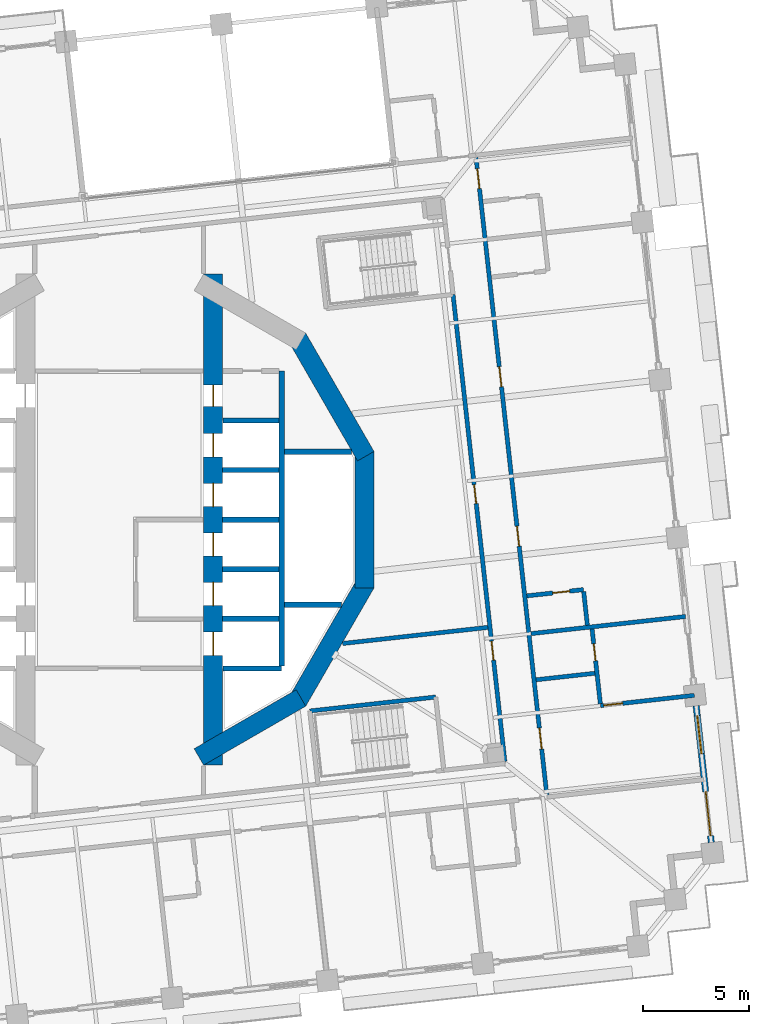
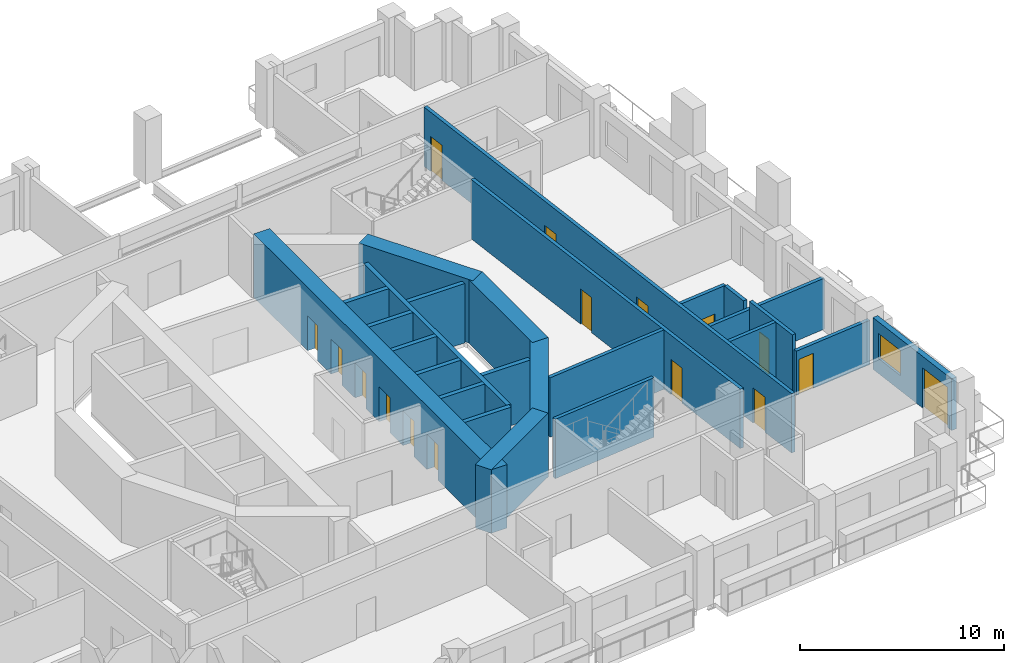
# One storey, part 10 of 20: 25 walls, 16 doors, 1 window, 17 openings.
"""IFC4 building model written with IfcOpenShell, lengths in metres."""

from ifc_helpers import new_model, si_unit, direction, frame, frame_2d, origin, place, context, subcontext, project, spatial, rectangle, extrude, material, layer, layer_set, type_object, element, fill, save


model = new_model("IFC4")

# Units and contexts
model_context = context("Model", 3, precision=1e-05, world=origin(), true_north=direction((0.0, 1.0)))
body_context = subcontext(model_context, "Body", "Model", "MODEL_VIEW")
ifc_project = project(units=[si_unit("LENGTHUNIT", "METRE"), si_unit("AREAUNIT", "SQUARE_METRE"), si_unit("VOLUMEUNIT", "CUBIC_METRE"), si_unit("PLANEANGLEUNIT", "RADIAN"), si_unit("MASSUNIT", "GRAM", prefix="KILO")], contexts=[model_context])

# Site, building, storey
site_placement = place(None, origin())
site = spatial("IfcSite", under=ifc_project, at=site_placement, CompositionType="ELEMENT")
building_placement = place(site_placement, origin())
building = spatial("IfcBuilding", under=site, at=building_placement, Name="Cantera Rosa Tower", CompositionType="ELEMENT")
storey_placement = place(building_placement, frame((0.0, 0.0, 46.300048828125)))
storey = spatial("IfcBuildingStorey", under=building, at=storey_placement, Name="L08", CompositionType="ELEMENT", Elevation=46.300048828125)

# Wall, openings, doors
ifc_material_1 = material(Name="Gypsum board partition")
ifc_layer_1 = layer(ifc_material_1, 0.199951171875)
ifc_layer_set_1 = layer_set([ifc_layer_1], Name="CORRIDOR WALL 200 H3550")
wall_type_1 = type_object("IfcWallType", Name="CORRIDOR WALL 200 H3550", PredefinedType="PARTITIONING", material=ifc_layer_set_1)
wall_1_placement = place(storey_placement, frame((18.27490234375, -11.453857421875, 0.0), z_axis=(0.0, 0.0, 1.0), x_axis=(-0.110303935969, 0.993897903061, 0.0)))
wall_1 = element("IfcWall", 1, at=wall_1_placement, inside=storey, type_object=wall_type_1, Name="CORRIDOR WALL L08-104", PredefinedType="PARTITIONING", context=body_context, shape_type="SweptSolid", body=[
    extrude(rectangle(XDim=22.26171875, YDim=0.199951171875, at=frame_2d((11.130859375, 0.0))), origin(), (0.0, 0.0, 1.0), 3.550048828125),
])
opening_1_placement = place(wall_1_placement, frame((12.294677734375, 0.0, 0.0)))
opening_1 = element("IfcOpeningElement", 2, at=opening_1_placement, cuts=wall_1, Name="Opening L08-005", PredefinedType="OPENING", context=body_context, shape_type="SweptSolid", body=[
    extrude(rectangle(XDim=0.89990234375, YDim=2.10009765625, at=frame_2d((0.449951171875, 1.050048828125))), frame((0.0, 0.10986328125, 0.0), z_axis=(0.0, -1.0, 0.0), x_axis=(1.0, 0.0, 0.0)), (0.0, 0.0, 1.0), 0.219970703125),
])
opening_2_placement = place(wall_1_placement, frame((4.830078125, 0.0, 0.0)))
opening_2 = element("IfcOpeningElement", 3, at=opening_2_placement, cuts=wall_1, Name="Opening L08-009", PredefinedType="OPENING", context=body_context, shape_type="SweptSolid", body=[
    extrude(rectangle(XDim=0.89990234375, YDim=2.10009765625, at=frame_2d((0.449951171875, 1.050048828125))), frame((0.0, 0.10986328125, 0.0), z_axis=(0.0, -1.0, 0.0), x_axis=(1.0, 0.0, 0.0)), (0.0, 0.0, 1.0), 0.219970703125),
])
ifc_material_2 = material(Name="Timber door leaf", Category="wood")
door_type_1 = type_object("IfcDoorType", Name="SERVICE DOOR 900x2100", OperationType="NOTDEFINED", PredefinedType="DOOR", material=ifc_material_2)
door_1_placement = place(opening_1_placement, origin())
door_1 = element("IfcDoor", 4, at=door_1_placement, inside=storey, type_object=door_type_1, Name="DOOR L08-005", OperationType="NOTDEFINED", OverallHeight=2.10009765625, OverallWidth=0.89990234375, PredefinedType="DOOR", context=body_context, shape_type="SweptSolid", body=[
    extrude(rectangle(XDim=0.89990234375, YDim=2.10009765625, at=frame_2d((0.449951171875, 1.050048828125))), frame((0.0, 0.02490234375, 0.0), z_axis=(0.0, -1.0, 0.0), x_axis=(1.0, 0.0, 0.0)), (0.0, 0.0, 1.0), 0.050048828125),
])
fill(opening_1, door_1)
door_2_placement = place(opening_2_placement, origin())
door_2 = element("IfcDoor", 5, at=door_2_placement, inside=storey, type_object=door_type_1, Name="DOOR L08-009", OperationType="NOTDEFINED", OverallHeight=2.10009765625, OverallWidth=0.89990234375, PredefinedType="DOOR", context=body_context, shape_type="SweptSolid", body=[
    extrude(rectangle(XDim=0.89990234375, YDim=2.10009765625, at=frame_2d((0.449951171875, 1.050048828125))), frame((0.0, 0.02490234375, 0.0), z_axis=(0.0, -1.0, 0.0), x_axis=(1.0, 0.0, 0.0)), (0.0, 0.0, 1.0), 0.050048828125),
])
fill(opening_2, door_2)

wall_2_placement = place(storey_placement, frame((20.2626953125, -13.04443359375, 0.0), z_axis=(0.0, 0.0, 1.0), x_axis=(-0.110312530755, 0.993896949164, 0.0)))
wall_2 = element("IfcWall", 6, at=wall_2_placement, inside=storey, type_object=wall_type_1, Name="CORRIDOR WALL L08-111", PredefinedType="PARTITIONING", context=body_context, shape_type="SweptSolid", body=[
    extrude(rectangle(XDim=30.400146484375, YDim=0.199951171875, at=frame_2d((15.2001953125, 0.0))), origin(), (0.0, 0.0, 1.0), 3.550048828125),
])
opening_3_placement = place(wall_2_placement, frame((2.18994140625, 0.0, 0.0)))
opening_3 = element("IfcOpeningElement", 7, at=opening_3_placement, cuts=wall_2, Name="Opening L08-016", PredefinedType="OPENING", context=body_context, shape_type="SweptSolid", body=[
    extrude(rectangle(XDim=1.0, YDim=2.10009765625, at=frame_2d((0.5, 1.050048828125))), frame((0.0, 0.10986328125, 0.0), z_axis=(0.0, -1.0, 0.0), x_axis=(1.0, 0.0, 0.0)), (0.0, 0.0, 1.0), 0.219970703125),
])
opening_4_placement = place(wall_2_placement, frame((11.864990234375, 0.0, 0.0)))
opening_4 = element("IfcOpeningElement", 8, at=opening_4_placement, cuts=wall_2, Name="Opening L08-019", PredefinedType="OPENING", context=body_context, shape_type="SweptSolid", body=[
    extrude(rectangle(XDim=0.949951171875, YDim=2.10009765625, at=frame_2d((0.47509765625, 1.050048828125))), frame((0.0, 0.10986328125, 0.0), z_axis=(0.0, -1.0, 0.0), x_axis=(1.0, 0.0, 0.0)), (0.0, 0.0, 1.0), 0.219970703125),
])
opening_5_placement = place(wall_2_placement, frame((19.465087890625, 0.0, 0.0)))
opening_5 = element("IfcOpeningElement", 9, at=opening_5_placement, cuts=wall_2, Name="Opening L08-021", PredefinedType="OPENING", context=body_context, shape_type="SweptSolid", body=[
    extrude(rectangle(XDim=0.949951171875, YDim=2.10009765625, at=frame_2d((0.47509765625, 1.050048828125))), frame((0.0, 0.10986328125, 0.0), z_axis=(0.0, -1.0, 0.0), x_axis=(1.0, 0.0, 0.0)), (0.0, 0.0, 1.0), 0.219970703125),
])
opening_6_placement = place(wall_2_placement, frame((28.9150390625, 0.0, 0.0)))
opening_6 = element("IfcOpeningElement", 10, at=opening_6_placement, cuts=wall_2, Name="Opening L08-023", PredefinedType="OPENING", context=body_context, shape_type="SweptSolid", body=[
    extrude(rectangle(XDim=0.949951171875, YDim=2.10009765625, at=frame_2d((0.47509765625, 1.050048828125))), frame((0.0, 0.10986328125, 0.0), z_axis=(0.0, -1.0, 0.0), x_axis=(1.0, 0.0, 0.0)), (0.0, 0.0, 1.0), 0.219970703125),
])
ifc_material_3 = material(Name="Timber door leaf", Category="wood")
door_type_2 = type_object("IfcDoorType", Name="ENTRANCE DOOR 1000x2100", OperationType="NOTDEFINED", PredefinedType="DOOR", material=ifc_material_3)
door_3_placement = place(opening_3_placement, origin())
door_3 = element("IfcDoor", 11, at=door_3_placement, inside=storey, type_object=door_type_2, Name="DOOR L08-016", OperationType="NOTDEFINED", OverallHeight=2.10009765625, OverallWidth=1.0, PredefinedType="DOOR", context=body_context, shape_type="SweptSolid", body=[
    extrude(rectangle(XDim=1.0, YDim=2.10009765625, at=frame_2d((0.5, 1.050048828125))), frame((0.0, 0.02490234375, 0.0), z_axis=(0.0, -1.0, 0.0), x_axis=(1.0, 0.0, 0.0)), (0.0, 0.0, 1.0), 0.050048828125),
])
fill(opening_3, door_3)
ifc_material_4 = material(Name="Timber door leaf", Category="wood")
door_type_3 = type_object("IfcDoorType", Name="ROOM DOOR 950x2100", OperationType="NOTDEFINED", PredefinedType="DOOR", material=ifc_material_4)
door_4_placement = place(opening_4_placement, origin())
door_4 = element("IfcDoor", 12, at=door_4_placement, inside=storey, type_object=door_type_3, Name="DOOR L08-019", OperationType="NOTDEFINED", OverallHeight=2.10009765625, OverallWidth=0.949951171875, PredefinedType="DOOR", context=body_context, shape_type="SweptSolid", body=[
    extrude(rectangle(XDim=0.949951171875, YDim=2.10009765625, at=frame_2d((0.47509765625, 1.050048828125))), frame((0.0, 0.02490234375, 0.0), z_axis=(0.0, -1.0, 0.0), x_axis=(1.0, 0.0, 0.0)), (0.0, 0.0, 1.0), 0.050048828125),
])
fill(opening_4, door_4)
door_5_placement = place(opening_5_placement, origin())
door_5 = element("IfcDoor", 13, at=door_5_placement, inside=storey, type_object=door_type_3, Name="DOOR L08-021", OperationType="NOTDEFINED", OverallHeight=2.10009765625, OverallWidth=0.949951171875, PredefinedType="DOOR", context=body_context, shape_type="SweptSolid", body=[
    extrude(rectangle(XDim=0.949951171875, YDim=2.10009765625, at=frame_2d((0.47509765625, 1.050048828125))), frame((0.0, 0.02490234375, 0.0), z_axis=(0.0, -1.0, 0.0), x_axis=(1.0, 0.0, 0.0)), (0.0, 0.0, 1.0), 0.050048828125),
])
fill(opening_5, door_5)
door_6_placement = place(opening_6_placement, origin())
door_6 = element("IfcDoor", 14, at=door_6_placement, inside=storey, type_object=door_type_3, Name="DOOR L08-023", OperationType="NOTDEFINED", OverallHeight=2.10009765625, OverallWidth=0.949951171875, PredefinedType="DOOR", context=body_context, shape_type="SweptSolid", body=[
    extrude(rectangle(XDim=0.949951171875, YDim=2.10009765625, at=frame_2d((0.47509765625, 1.050048828125))), frame((0.0, 0.02490234375, 0.0), z_axis=(0.0, -1.0, 0.0), x_axis=(1.0, 0.0, 0.0)), (0.0, 0.0, 1.0), 0.050048828125),
])
fill(opening_6, door_6)

# Wall, openings, window, door
ifc_material_5 = material(Name="Hollow clay masonry with cantera stone cladding", Category="masonry")
ifc_layer_2 = layer(ifc_material_5, 0.300048828125)
ifc_layer_set_2 = layer_set([ifc_layer_2], Name="EW-LOGGIA 300 H3090")
wall_type_2 = type_object("IfcWallType", Name="EW-LOGGIA 300 H3090", PredefinedType="SOLIDWALL", material=ifc_layer_set_2)
wall_3_placement = place(storey_placement, frame((28.058837890625, -15.298095703125, 0.0), z_axis=(0.0, 0.0, 1.0), x_axis=(-0.110312341265, 0.993896970196, 0.0)))
wall_3 = element("IfcWall", 15, at=wall_3_placement, inside=storey, type_object=wall_type_2, Name="EN-L08-W01", PredefinedType="SOLIDWALL", context=body_context, shape_type="SweptSolid", body=[
    extrude(rectangle(XDim=6.52001953125, YDim=0.300048828125, at=frame_2d((3.260009765625, 0.0))), origin(), (0.0, 0.0, 1.0), 3.08984375),
])
opening_7_placement = place(wall_3_placement, frame((0.330078125, 0.0, 0.0)))
opening_7 = element("IfcOpeningElement", 16, at=opening_7_placement, cuts=wall_3, Name="Opening L08-TD01", PredefinedType="OPENING", context=body_context, shape_type="SweptSolid", body=[
    extrude(rectangle(XDim=2.10009765625, YDim=2.39990234375, at=frame_2d((1.050048828125, 1.199951171875))), frame((0.0, 0.159912109375, 0.0), z_axis=(0.0, -1.0, 0.0), x_axis=(1.0, 0.0, 0.0)), (0.0, 0.0, 1.0), 0.320068359375),
])
opening_8_placement = place(wall_3_placement, frame((4.239990234375, 0.0, 0.89990234375)))
opening_8 = element("IfcOpeningElement", 17, at=opening_8_placement, cuts=wall_3, Name="Opening L08-W02", PredefinedType="OPENING", context=body_context, shape_type="SweptSolid", body=[
    extrude(rectangle(XDim=1.800048828125, YDim=1.5, at=frame_2d((0.89990234375, 0.75))), frame((0.0, 0.159912109375, 0.0), z_axis=(0.0, -1.0, 0.0), x_axis=(1.0, 0.0, 0.0)), (0.0, 0.0, 1.0), 0.320068359375),
])
ifc_material_6 = material(Name="Aluminium frame with clear glass", Category="aluminium")
window_type = type_object("IfcWindowType", Name="Hotel room window 1800x1500", PartitioningType="DOUBLE_PANEL_VERTICAL", PredefinedType="WINDOW", material=ifc_material_6)
window_placement = place(opening_8_placement, origin())
window = element("IfcWindow", 18, at=window_placement, inside=storey, type_object=window_type, Name="WINDOW L08-W02", OverallHeight=1.5, OverallWidth=1.800048828125, PartitioningType="SINGLE_PANEL", PredefinedType="WINDOW", context=body_context, shape_type="SweptSolid", body=[
    extrude(rectangle(XDim=1.800048828125, YDim=1.5, at=frame_2d((0.89990234375, 0.75))), frame((0.0, 0.030029296875, 0.0), z_axis=(0.0, -1.0, 0.0), x_axis=(1.0, 0.0, 0.0)), (0.0, 0.0, 1.0), 0.06005859375),
])
fill(opening_8, window)
ifc_material_7 = material(Name="Aluminium frame with clear glass", Category="aluminium")
door_type_4 = type_object("IfcDoorType", Name="TD-H 2100x2400", OperationType="NOTDEFINED", PredefinedType="DOOR", material=ifc_material_7)
door_7_placement = place(opening_7_placement, origin())
door_7 = element("IfcDoor", 19, at=door_7_placement, inside=storey, type_object=door_type_4, Name="LOGGIA DOOR L08-TD01", OperationType="SLIDING_TO_LEFT", OverallHeight=2.39990234375, OverallWidth=2.10009765625, PredefinedType="DOOR", context=body_context, shape_type="SweptSolid", body=[
    extrude(rectangle(XDim=2.10009765625, YDim=2.39990234375, at=frame_2d((1.050048828125, 1.199951171875))), frame((0.0, 0.02490234375, 0.0), z_axis=(0.0, -1.0, 0.0), x_axis=(1.0, 0.0, 0.0)), (0.0, 0.0, 1.0), 0.050048828125),
])
fill(opening_7, door_7)

# Wall, opening, door
ifc_material_8 = material(Name="Gypsum board partition")
ifc_layer_3 = layer(ifc_material_8, 0.199951171875)
ifc_layer_set_3 = layer_set([ifc_layer_3], Name="PARTITION 200 H2650")
wall_type_3 = type_object("IfcWallType", Name="PARTITION 200 H2650", PredefinedType="PARTITIONING", material=ifc_layer_set_3)
wall_4_placement = place(storey_placement, frame((27.254638671875, -8.32421875, 0.0), z_axis=(0.0, 0.0, 1.0), x_axis=(-0.993895052822, -0.11032961514, 0.0)))
wall_4 = element("IfcWall", 20, at=wall_4_placement, inside=storey, type_object=wall_type_3, Name="PARTITION L08-116", PredefinedType="PARTITIONING", context=body_context, shape_type="SweptSolid", body=[
    extrude(rectangle(XDim=4.469970703125, YDim=0.199951171875, at=frame_2d((2.23486328125, 0.0))), origin(), (0.0, 0.0, 1.0), 2.64990234375),
])
opening_9_placement = place(wall_4_placement, frame((3.419921875, 0.0, 0.0)))
opening_9 = element("IfcOpeningElement", 21, at=opening_9_placement, cuts=wall_4, Name="Opening L08-017", PredefinedType="OPENING", context=body_context, shape_type="SweptSolid", body=[
    extrude(rectangle(XDim=0.89990234375, YDim=2.10009765625, at=frame_2d((0.449951171875, 1.050048828125))), frame((0.0, 0.10986328125, 0.0), z_axis=(0.0, -1.0, 0.0), x_axis=(1.0, 0.0, 0.0)), (0.0, 0.0, 1.0), 0.219970703125),
])
ifc_material_9 = material(Name="Timber door leaf", Category="wood")
door_type_5 = type_object("IfcDoorType", Name="ROOM DOOR 900x2100", OperationType="NOTDEFINED", PredefinedType="DOOR", material=ifc_material_9)
door_8_placement = place(opening_9_placement, origin())
door_8 = element("IfcDoor", 22, at=door_8_placement, inside=storey, type_object=door_type_5, Name="DOOR L08-017", OperationType="NOTDEFINED", OverallHeight=2.10009765625, OverallWidth=0.89990234375, PredefinedType="DOOR", context=body_context, shape_type="SweptSolid", body=[
    extrude(rectangle(XDim=0.89990234375, YDim=2.10009765625, at=frame_2d((0.449951171875, 1.050048828125))), frame((0.0, 0.02490234375, 0.0), z_axis=(0.0, -1.0, 0.0), x_axis=(1.0, 0.0, 0.0)), (0.0, 0.0, 1.0), 0.050048828125),
])
fill(opening_9, door_8)

# Wall
ifc_material_10 = material(Name="Gypsum board partition")
ifc_layer_4 = layer(ifc_material_10, 0.199951171875)
ifc_layer_set_4 = layer_set([ifc_layer_4], Name="PARTITION 200 H3550")
wall_type_4 = type_object("IfcWallType", Name="PARTITION 200 H3550", PredefinedType="PARTITIONING", material=ifc_layer_set_4)
wall_5_placement = place(storey_placement, frame((17.4697265625, -5.10400390625, 0.0), z_axis=(0.0, 0.0, 1.0), x_axis=(-0.993897488751, -0.110307669061, 0.0)))
element("IfcWall", 23, at=wall_5_placement, inside=storey, type_object=wall_type_4, Name="PARTITION L08-102", PredefinedType="PARTITIONING", context=body_context, shape_type="SweptSolid", body=[
    extrude(rectangle(XDim=6.923095703125, YDim=0.199951171875, at=frame_2d((3.46142578125, 0.0))), origin(), (0.0, 0.0, 1.0), 3.550048828125),
])

# Wall, opening, door
wall_6_placement = place(storey_placement, frame((19.31640625, -3.611083984375, 0.0), z_axis=(0.0, 0.0, 1.0), x_axis=(0.993905770718, 0.110233021063, 0.0)))
wall_6 = element("IfcWall", 24, at=wall_6_placement, inside=storey, type_object=wall_type_4, Name="PARTITION L08-108", PredefinedType="PARTITIONING", context=body_context, shape_type="SweptSolid", body=[
    extrude(rectangle(XDim=2.69970703125, YDim=0.199951171875, at=frame_2d((1.349853515625, 0.0))), origin(), (0.0, 0.0, 1.0), 3.550048828125),
])
opening_10_placement = place(wall_6_placement, frame((1.236083984375, 0.0, 0.0)))
opening_10 = element("IfcOpeningElement", 25, at=opening_10_placement, cuts=wall_6, Name="Opening L08-020", PredefinedType="OPENING", context=body_context, shape_type="SweptSolid", body=[
    extrude(rectangle(XDim=0.800048828125, YDim=2.10009765625, at=frame_2d((0.39990234375, 1.050048828125))), frame((0.0, 0.10986328125, 0.0), z_axis=(0.0, -1.0, 0.0), x_axis=(1.0, 0.0, 0.0)), (0.0, 0.0, 1.0), 0.219970703125),
])
ifc_material_11 = material(Name="Timber door leaf", Category="wood")
door_type_6 = type_object("IfcDoorType", Name="BATHROOM DOOR 800x2100", OperationType="NOTDEFINED", PredefinedType="DOOR", material=ifc_material_11)
door_9_placement = place(opening_10_placement, origin())
door_9 = element("IfcDoor", 26, at=door_9_placement, inside=storey, type_object=door_type_6, Name="DOOR L08-020", OperationType="NOTDEFINED", OverallHeight=2.10009765625, OverallWidth=0.800048828125, PredefinedType="DOOR", context=body_context, shape_type="SweptSolid", body=[
    extrude(rectangle(XDim=0.800048828125, YDim=2.10009765625, at=frame_2d((0.39990234375, 1.050048828125))), frame((0.0, 0.02490234375, 0.0), z_axis=(0.0, -1.0, 0.0), x_axis=(1.0, 0.0, 0.0)), (0.0, 0.0, 1.0), 0.050048828125),
])
fill(opening_10, door_9)

# Walls
wall_7_placement = place(storey_placement, frame((22.0107421875, -3.412841796875, 0.0), z_axis=(0.0, 0.0, 1.0), x_axis=(0.110331031706, -0.993894895571, 0.0)))
element("IfcWall", 27, at=wall_7_placement, inside=storey, type_object=wall_type_4, Name="PARTITION L08-113", PredefinedType="PARTITIONING", context=body_context, shape_type="SweptSolid", body=[
    extrude(rectangle(XDim=1.599853515625, YDim=0.199951171875, at=frame_2d((0.7998046875, 0.0))), origin(), (0.0, 0.0, 1.0), 3.550048828125),
])
wall_8_placement = place(storey_placement, frame((22.540283203125, -7.27783203125, 0.0), z_axis=(0.0, 0.0, 1.0), x_axis=(-0.99388798752, -0.110393243744, 0.0)))
element("IfcWall", 28, at=wall_8_placement, inside=storey, type_object=wall_type_4, Name="PARTITION L08-114", PredefinedType="PARTITIONING", context=body_context, shape_type="SweptSolid", body=[
    extrude(rectangle(XDim=2.7998046875, YDim=0.199951171875, at=frame_2d((1.39990234375, 0.0))), origin(), (0.0, 0.0, 1.0), 3.550048828125),
])

# Wall, opening, door
wall_9_placement = place(storey_placement, frame((22.80078125, -8.718017578125, 0.0), z_axis=(0.0, 0.0, 1.0), x_axis=(-0.110273460699, 0.993901284769, 0.0)))
wall_9 = element("IfcWall", 29, at=wall_9_placement, inside=storey, type_object=wall_type_4, Name="PARTITION L08-115", PredefinedType="PARTITIONING", context=body_context, shape_type="SweptSolid", body=[
    extrude(rectangle(XDim=3.56005859375, YDim=0.199951171875, at=frame_2d((1.780029296875, 0.0))), origin(), (0.0, 0.0, 1.0), 3.550048828125),
])
opening_11_placement = place(wall_9_placement, frame((2.050048828125, 0.0, 0.0)))
opening_11 = element("IfcOpeningElement", 30, at=opening_11_placement, cuts=wall_9, Name="Opening L08-018", PredefinedType="OPENING", context=body_context, shape_type="SweptSolid", body=[
    extrude(rectangle(XDim=0.800048828125, YDim=2.10009765625, at=frame_2d((0.39990234375, 1.050048828125))), frame((0.0, 0.10986328125, 0.0), z_axis=(0.0, -1.0, 0.0), x_axis=(1.0, 0.0, 0.0)), (0.0, 0.0, 1.0), 0.219970703125),
])
door_10_placement = place(opening_11_placement, origin())
door_10 = element("IfcDoor", 31, at=door_10_placement, inside=storey, type_object=door_type_6, Name="DOOR L08-018", OperationType="NOTDEFINED", OverallHeight=2.10009765625, OverallWidth=0.800048828125, PredefinedType="DOOR", context=body_context, shape_type="SweptSolid", body=[
    extrude(rectangle(XDim=0.800048828125, YDim=2.10009765625, at=frame_2d((0.39990234375, 1.050048828125))), frame((0.0, 0.02490234375, 0.0), z_axis=(0.0, -1.0, 0.0), x_axis=(1.0, 0.0, 0.0)), (0.0, 0.0, 1.0), 0.050048828125),
])
fill(opening_11, door_10)

# Walls
ifc_material_12 = material(Name="Gypsum board partition")
ifc_layer_5 = layer(ifc_material_12, 0.199951171875)
ifc_layer_set_5 = layer_set([ifc_layer_5], Name="PARTY WALL 200 H3050")
wall_type_5 = type_object("IfcWallType", Name="PARTY WALL 200 H3050", PredefinedType="PARTITIONING", material=ifc_layer_set_5)
wall_10_placement = place(storey_placement, frame((19.514892578125, -5.400146484375, 0.0), z_axis=(0.0, 0.0, 1.0), x_axis=(0.993897058864, 0.11031154238, 0.0)))
element("IfcWall", 32, at=wall_10_placement, inside=storey, type_object=wall_type_5, Name="PARTY WALL L08-109", PredefinedType="PARTITIONING", context=body_context, shape_type="SweptSolid", body=[
    extrude(rectangle(XDim=7.369873046875, YDim=0.199951171875, at=frame_2d((3.68505859375, 0.0))), origin(), (0.0, 0.0, 1.0), 3.050048828125),
])
ifc_material_13 = material(Name="Concrete C70/85", Category="concrete")
ifc_layer_6 = layer(ifc_material_13, 0.89990234375)
ifc_layer_set_6 = layer_set([ifc_layer_6], Name="RC CORE WALL 900 C70/85")
wall_type_6 = type_object("IfcWallType", Name="RC CORE WALL 900 C70/85", PredefinedType="SHEAR", material=ifc_layer_set_6)
wall_11_placement = place(storey_placement, frame((8.44921875, 8.61376953125, 0.0), z_axis=(0.0, 0.0, 1.0), x_axis=(0.499990282633, -0.866031014036, 0.0)))
element("IfcWall", 33, at=wall_11_placement, inside=storey, type_object=wall_type_6, Name="CW-E2 L08", PredefinedType="SHEAR", context=body_context, shape_type="SweptSolid", body=[
    extrude(rectangle(XDim=6.470458984375, YDim=0.89990234375, at=frame_2d((3.2353515625, 0.0))), origin(), (0.0, 0.0, 1.0), 3.800048828125),
])
wall_12_placement = place(storey_placement, frame((11.6240234375, 3.2353515625, 0.0), z_axis=(0.0, 0.0, 1.0), x_axis=(0.0, -1.0, 0.0)))
element("IfcWall", 34, at=wall_12_placement, inside=storey, type_object=wall_type_6, Name="CW-E3 L08", PredefinedType="SHEAR", context=body_context, shape_type="SweptSolid", body=[
    extrude(rectangle(XDim=6.470703125, YDim=0.89990234375, at=frame_2d((3.2353515625, 0.0))), origin(), (0.0, 0.0, 1.0), 3.800048828125),
])
wall_13_placement = place(storey_placement, frame((11.684326171875, -3.01025390625, 0.0), z_axis=(0.0, 0.0, 1.0), x_axis=(-0.499990282633, -0.866031014036, 0.0)))
element("IfcWall", 35, at=wall_13_placement, inside=storey, type_object=wall_type_6, Name="CW-E4 L08", PredefinedType="SHEAR", context=body_context, shape_type="SweptSolid", body=[
    extrude(rectangle(XDim=6.470458984375, YDim=0.89990234375, at=frame_2d((3.2353515625, 0.0))), origin(), (0.0, 0.0, 1.0), 3.800048828125),
])
wall_14_placement = place(storey_placement, frame((8.61376953125, -8.44921875, 0.0), z_axis=(0.0, 0.0, 1.0), x_axis=(-0.866026961591, -0.49999730179, 0.0)))
element("IfcWall", 36, at=wall_14_placement, inside=storey, type_object=wall_type_6, Name="CW-E5 L08", PredefinedType="SHEAR", context=body_context, shape_type="SweptSolid", body=[
    extrude(rectangle(XDim=5.58740234375, YDim=0.89990234375, at=frame_2d((2.793701171875, 0.0))), origin(), (0.0, 0.0, 1.0), 3.800048828125),
])

# Wall, openings, doors
wall_15_placement = place(storey_placement, frame((4.449951171875, -11.632568359375, 0.0), z_axis=(0.0, 0.0, 1.0), x_axis=(0.0, 1.0, 0.0)))
wall_15 = element("IfcWall", 37, at=wall_15_placement, inside=storey, type_object=wall_type_6, Name="CW-E6 L08", PredefinedType="SHEAR", context=body_context, shape_type="SweptSolid", body=[
    extrude(rectangle(XDim=23.26513671875, YDim=0.89990234375, at=frame_2d((11.632568359375, 0.0))), origin(), (0.0, 0.0, 1.0), 3.800048828125),
])
opening_12_placement = place(wall_15_placement, frame((7.5576171875, 0.0, 0.0)))
opening_12 = element("IfcOpeningElement", 38, at=opening_12_placement, cuts=wall_15, Name="Opening LD-FF1-L08", PredefinedType="OPENING", context=body_context, shape_type="SweptSolid", body=[
    extrude(rectangle(XDim=1.10009765625, YDim=2.10009765625, at=frame_2d((0.550048828125, 1.050048828125))), frame((0.0, 0.4599609375, 0.0), z_axis=(0.0, -1.0, 0.0), x_axis=(1.0, 0.0, 0.0)), (0.0, 0.0, 1.0), 0.919921875),
])
opening_13_placement = place(wall_15_placement, frame((9.907470703125, 0.0, 0.0)))
opening_13 = element("IfcOpeningElement", 39, at=opening_13_placement, cuts=wall_15, Name="Opening LD-FF2-L08", PredefinedType="OPENING", context=body_context, shape_type="SweptSolid", body=[
    extrude(rectangle(XDim=1.10009765625, YDim=2.10009765625, at=frame_2d((0.550048828125, 1.050048828125))), frame((0.0, 0.4599609375, 0.0), z_axis=(0.0, -1.0, 0.0), x_axis=(1.0, 0.0, 0.0)), (0.0, 0.0, 1.0), 0.919921875),
])
opening_14_placement = place(wall_15_placement, frame((12.257568359375, 0.0, 0.0)))
opening_14 = element("IfcOpeningElement", 40, at=opening_14_placement, cuts=wall_15, Name="Opening LD-P1-L08", PredefinedType="OPENING", context=body_context, shape_type="SweptSolid", body=[
    extrude(rectangle(XDim=1.10009765625, YDim=2.10009765625, at=frame_2d((0.550048828125, 1.050048828125))), frame((0.0, 0.4599609375, 0.0), z_axis=(0.0, -1.0, 0.0), x_axis=(1.0, 0.0, 0.0)), (0.0, 0.0, 1.0), 0.919921875),
])
opening_15_placement = place(wall_15_placement, frame((14.607421875, 0.0, 0.0)))
opening_15 = element("IfcOpeningElement", 41, at=opening_15_placement, cuts=wall_15, Name="Opening LD-P2-L08", PredefinedType="OPENING", context=body_context, shape_type="SweptSolid", body=[
    extrude(rectangle(XDim=1.10009765625, YDim=2.10009765625, at=frame_2d((0.550048828125, 1.050048828125))), frame((0.0, 0.4599609375, 0.0), z_axis=(0.0, -1.0, 0.0), x_axis=(1.0, 0.0, 0.0)), (0.0, 0.0, 1.0), 0.919921875),
])
opening_16_placement = place(wall_15_placement, frame((5.20751953125, 0.0, 0.0)))
opening_16 = element("IfcOpeningElement", 42, at=opening_16_placement, cuts=wall_15, Name="Opening LD-P6-L08", PredefinedType="OPENING", context=body_context, shape_type="SweptSolid", body=[
    extrude(rectangle(XDim=1.10009765625, YDim=2.10009765625, at=frame_2d((0.550048828125, 1.050048828125))), frame((0.0, 0.4599609375, 0.0), z_axis=(0.0, -1.0, 0.0), x_axis=(1.0, 0.0, 0.0)), (0.0, 0.0, 1.0), 0.919921875),
])
opening_17_placement = place(wall_15_placement, frame((17.007568359375, 0.0, 0.0)))
opening_17 = element("IfcOpeningElement", 43, at=opening_17_placement, cuts=wall_15, Name="Opening SD-L08-15", PredefinedType="OPENING", context=body_context, shape_type="SweptSolid", body=[
    extrude(rectangle(XDim=1.0, YDim=2.10009765625, at=frame_2d((0.5, 1.050048828125))), frame((0.0, 0.4599609375, 0.0), z_axis=(0.0, -1.0, 0.0), x_axis=(1.0, 0.0, 0.0)), (0.0, 0.0, 1.0), 0.919921875),
])
ifc_material_14 = material(Name="Steel S355J2 (EN 10025-2)", Category="steel")
door_type_7 = type_object("IfcDoorType", Name="LANDING DOOR 1100x2100", OperationType="NOTDEFINED", PredefinedType="DOOR", material=ifc_material_14)
door_11_placement = place(opening_12_placement, origin())
door_11 = element("IfcDoor", 44, at=door_11_placement, inside=storey, type_object=door_type_7, Name="LANDING DOOR FF1 L08", OperationType="SLIDING_TO_LEFT", OverallHeight=2.10009765625, OverallWidth=1.10009765625, PredefinedType="DOOR", context=body_context, shape_type="SweptSolid", body=[
    extrude(rectangle(XDim=1.10009765625, YDim=2.10009765625, at=frame_2d((0.550048828125, 1.050048828125))), frame((0.0, 0.02490234375, 0.0), z_axis=(0.0, -1.0, 0.0), x_axis=(1.0, 0.0, 0.0)), (0.0, 0.0, 1.0), 0.050048828125),
])
fill(opening_12, door_11)
door_12_placement = place(opening_13_placement, origin())
door_12 = element("IfcDoor", 45, at=door_12_placement, inside=storey, type_object=door_type_7, Name="LANDING DOOR FF2 L08", OperationType="SLIDING_TO_LEFT", OverallHeight=2.10009765625, OverallWidth=1.10009765625, PredefinedType="DOOR", context=body_context, shape_type="SweptSolid", body=[
    extrude(rectangle(XDim=1.10009765625, YDim=2.10009765625, at=frame_2d((0.550048828125, 1.050048828125))), frame((0.0, 0.02490234375, 0.0), z_axis=(0.0, -1.0, 0.0), x_axis=(1.0, 0.0, 0.0)), (0.0, 0.0, 1.0), 0.050048828125),
])
fill(opening_13, door_12)
door_13_placement = place(opening_14_placement, origin())
door_13 = element("IfcDoor", 46, at=door_13_placement, inside=storey, type_object=door_type_7, Name="LANDING DOOR P1 L08", OperationType="SLIDING_TO_LEFT", OverallHeight=2.10009765625, OverallWidth=1.10009765625, PredefinedType="DOOR", context=body_context, shape_type="SweptSolid", body=[
    extrude(rectangle(XDim=1.10009765625, YDim=2.10009765625, at=frame_2d((0.550048828125, 1.050048828125))), frame((0.0, 0.02490234375, 0.0), z_axis=(0.0, -1.0, 0.0), x_axis=(1.0, 0.0, 0.0)), (0.0, 0.0, 1.0), 0.050048828125),
])
fill(opening_14, door_13)
door_14_placement = place(opening_15_placement, origin())
door_14 = element("IfcDoor", 47, at=door_14_placement, inside=storey, type_object=door_type_7, Name="LANDING DOOR P2 L08", OperationType="SLIDING_TO_LEFT", OverallHeight=2.10009765625, OverallWidth=1.10009765625, PredefinedType="DOOR", context=body_context, shape_type="SweptSolid", body=[
    extrude(rectangle(XDim=1.10009765625, YDim=2.10009765625, at=frame_2d((0.550048828125, 1.050048828125))), frame((0.0, 0.02490234375, 0.0), z_axis=(0.0, -1.0, 0.0), x_axis=(1.0, 0.0, 0.0)), (0.0, 0.0, 1.0), 0.050048828125),
])
fill(opening_15, door_14)
door_15_placement = place(opening_16_placement, origin())
door_15 = element("IfcDoor", 48, at=door_15_placement, inside=storey, type_object=door_type_7, Name="LANDING DOOR P6 L08", OperationType="SLIDING_TO_LEFT", OverallHeight=2.10009765625, OverallWidth=1.10009765625, PredefinedType="DOOR", context=body_context, shape_type="SweptSolid", body=[
    extrude(rectangle(XDim=1.10009765625, YDim=2.10009765625, at=frame_2d((0.550048828125, 1.050048828125))), frame((0.0, 0.02490234375, 0.0), z_axis=(0.0, -1.0, 0.0), x_axis=(1.0, 0.0, 0.0)), (0.0, 0.0, 1.0), 0.050048828125),
])
fill(opening_16, door_15)
ifc_material_15 = material(Name="Timber door leaf", Category="wood")
door_type_8 = type_object("IfcDoorType", Name="SERVICE DOOR 1000x2100", OperationType="NOTDEFINED", PredefinedType="DOOR", material=ifc_material_15)
door_16_placement = place(opening_17_placement, origin())
door_16 = element("IfcDoor", 49, at=door_16_placement, inside=storey, type_object=door_type_8, Name="DOOR L08-SD15", OperationType="NOTDEFINED", OverallHeight=2.10009765625, OverallWidth=1.0, PredefinedType="DOOR", context=body_context, shape_type="SweptSolid", body=[
    extrude(rectangle(XDim=1.0, YDim=2.10009765625, at=frame_2d((0.5, 1.050048828125))), frame((0.0, 0.02490234375, 0.0), z_axis=(0.0, -1.0, 0.0), x_axis=(1.0, 0.0, 0.0)), (0.0, 0.0, 1.0), 0.050048828125),
])
fill(opening_17, door_16)

# Walls
ifc_material_16 = material(Name="Masonry blockwork", Category="masonry")
ifc_layer_7 = layer(ifc_material_16, 0.25)
ifc_layer_set_7 = layer_set([ifc_layer_7], Name="SHAFT WALL 250 H3550")
wall_type_7 = type_object("IfcWallType", Name="SHAFT WALL 250 H3550", PredefinedType="SOLIDWALL", material=ifc_layer_set_7)
for number, where, z_axis, x_axis, name in (
    (50, (4.89990234375, -4.699951171875, 0.0), (0.0, 0.0, 1.0), (1.0, 0.0, 0.0), "SHAFT WALL L08-065"),
    (51, (4.89990234375, 0.0, 0.0), (0.0, 0.0, 1.0), (1.0, 0.0, 0.0), "SHAFT WALL L08-066"),
):
    element("IfcWall", number, at=place(storey_placement, frame(where, z_axis=z_axis, x_axis=x_axis)), inside=storey, type_object=wall_type_7, Name=name, PredefinedType="SOLIDWALL", context=body_context, shape_type="SweptSolid", body=[
        extrude(rectangle(XDim=2.675048828125, YDim=0.25, at=frame_2d((1.33740234375, 0.0))), origin(), (0.0, 0.0, 1.0), 3.550048828125),
    ])
wall_16_placement = place(storey_placement, frame((4.929931640625, -7.050048828125, 0.0), z_axis=(0.0, 0.0, 1.0), x_axis=(1.0, 0.0, 0.0)))
element("IfcWall", 52, at=wall_16_placement, inside=storey, type_object=wall_type_7, Name="SHAFT WALL L08-067", PredefinedType="SOLIDWALL", context=body_context, shape_type="SweptSolid", body=[
    extrude(rectangle(XDim=2.77001953125, YDim=0.25, at=frame_2d((1.385009765625, 0.0))), origin(), (0.0, 0.0, 1.0), 3.550048828125),
])
wall_17_placement = place(storey_placement, frame((7.699951171875, -6.929931640625, 0.0), z_axis=(0.0, 0.0, 1.0), x_axis=(0.0, 1.0, 0.0)))
element("IfcWall", 53, at=wall_17_placement, inside=storey, type_object=wall_type_7, Name="SHAFT WALL L08-068", PredefinedType="SOLIDWALL", context=body_context, shape_type="SweptSolid", body=[
    extrude(rectangle(XDim=13.97998046875, YDim=0.25, at=frame_2d((6.989990234375, 0.0))), origin(), (0.0, 0.0, 1.0), 3.550048828125),
])
wall_18_placement = place(storey_placement, frame((7.824951171875, -4.029541015625, 0.0), z_axis=(0.0, 0.0, 1.0), x_axis=(1.0, 0.0, 0.0)))
element("IfcWall", 54, at=wall_18_placement, inside=storey, type_object=wall_type_7, Name="SHAFT WALL L08-069", PredefinedType="SOLIDWALL", context=body_context, shape_type="SweptSolid", body=[
    extrude(rectangle(XDim=2.716552734375, YDim=0.25, at=frame_2d((1.3583984375, 0.0))), origin(), (0.0, 0.0, 1.0), 3.550048828125),
])
for number, where, z_axis, x_axis, name in (
    (55, (7.574951171875, -2.35009765625, 0.0), (0.0, 0.0, 1.0), (-1.0, 0.0, 0.0), "SHAFT WALL L08-070"),
    (56, (7.574951171875, 2.35009765625, 0.0), (0.0, 0.0, 1.0), (-1.0, 0.0, 0.0), "SHAFT WALL L08-071"),
):
    element("IfcWall", number, at=place(storey_placement, frame(where, z_axis=z_axis, x_axis=x_axis)), inside=storey, type_object=wall_type_7, Name=name, PredefinedType="SOLIDWALL", context=body_context, shape_type="SweptSolid", body=[
        extrude(rectangle(XDim=2.675048828125, YDim=0.25, at=frame_2d((1.33740234375, 0.0))), origin(), (0.0, 0.0, 1.0), 3.550048828125),
    ])
wall_19_placement = place(storey_placement, frame((7.824951171875, 3.2236328125, 0.0), z_axis=(0.0, 0.0, 1.0), x_axis=(1.0, 0.0, 0.0)))
element("IfcWall", 57, at=wall_19_placement, inside=storey, type_object=wall_type_7, Name="SHAFT WALL L08-072", PredefinedType="SOLIDWALL", context=body_context, shape_type="SweptSolid", body=[
    extrude(rectangle(XDim=3.181884765625, YDim=0.25, at=frame_2d((1.5908203125, 0.0))), origin(), (0.0, 0.0, 1.0), 3.550048828125),
])
wall_20_placement = place(storey_placement, frame((7.574951171875, 4.699951171875, 0.0), z_axis=(0.0, 0.0, 1.0), x_axis=(-1.0, 0.0, 0.0)))
element("IfcWall", 58, at=wall_20_placement, inside=storey, type_object=wall_type_7, Name="SHAFT WALL L08-073", PredefinedType="SOLIDWALL", context=body_context, shape_type="SweptSolid", body=[
    extrude(rectangle(XDim=2.64501953125, YDim=0.25, at=frame_2d((1.322509765625, 0.0))), origin(), (0.0, 0.0, 1.0), 3.550048828125),
])
ifc_material_17 = material(Name="Concrete C50/60", Category="concrete")
ifc_layer_8 = layer(ifc_material_17, 0.199951171875)
ifc_layer_set_8 = layer_set([ifc_layer_8], Name="STAIR WALL 200 H3550")
wall_type_8 = type_object("IfcWallType", Name="STAIR WALL 200 H3550", PredefinedType="SOLIDWALL", material=ifc_layer_set_8)
wall_21_placement = place(storey_placement, frame((14.996826171875, -8.404296875, 0.0), z_axis=(0.0, 0.0, 1.0), x_axis=(-0.993897125329, -0.110310943534, 0.0)))
element("IfcWall", 59, at=wall_21_placement, inside=storey, type_object=wall_type_8, Name="STAIR WALL L08-086", PredefinedType="SOLIDWALL", context=body_context, shape_type="SweptSolid", body=[
    extrude(rectangle(XDim=6.0, YDim=0.199951171875, at=frame_2d((3.0, 0.0))), origin(), (0.0, 0.0, 1.0), 3.550048828125),
])

save(model, "model.ifc")
